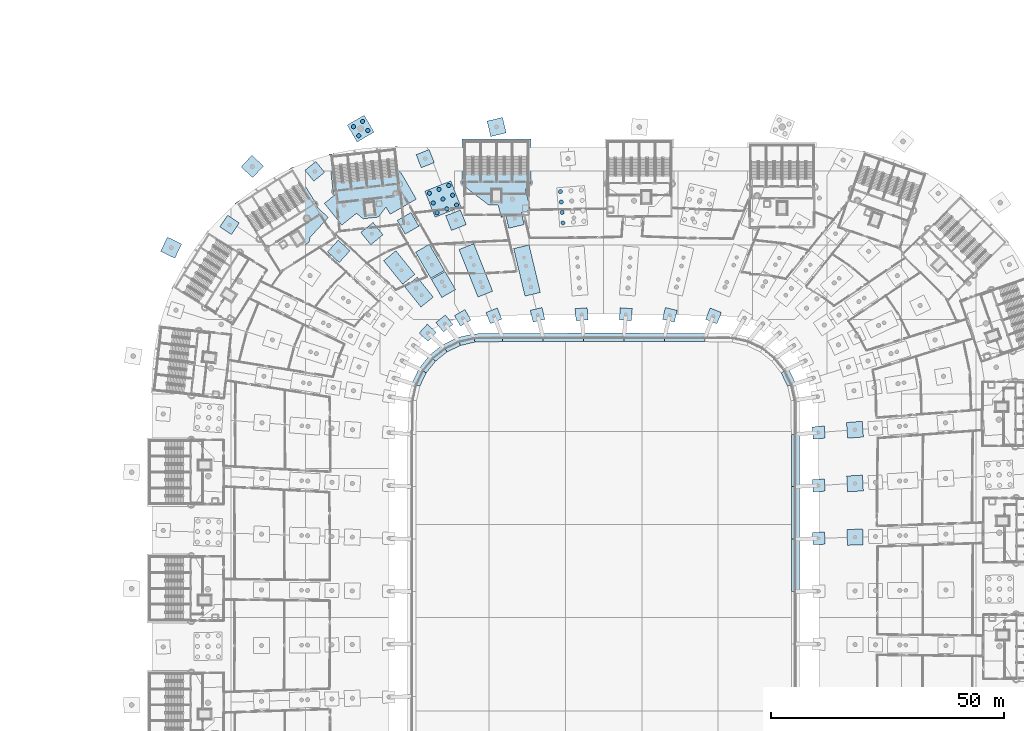
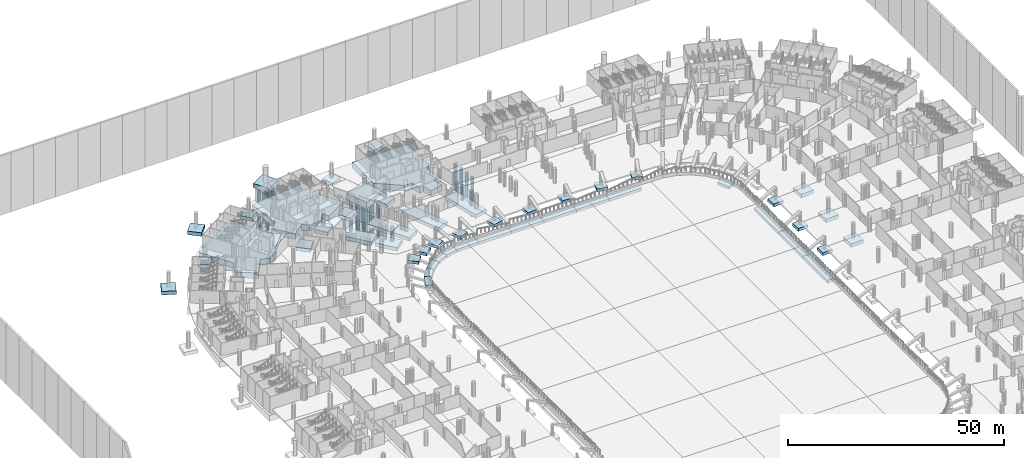
# One storey, part 6 of 142: 51 footings, 17 piles.
"""IFC4 building model written with IfcOpenShell, lengths in metres."""

from ifc_helpers import new_model, si_unit, direction, frame, origin, origin_2d, place, context, subcontext, project, spatial, polyline, circle, outline, extrude, material, material_profile, profile_set, type_object, element, save


model = new_model("IFC4")

# Units and contexts
model_context = context("Model", 3, precision=1e-05, world=origin(), true_north=direction((0.0, 1.0)))
body_context = subcontext(model_context, "Body", "Model", "MODEL_VIEW")
ifc_project = project(units=[si_unit("LENGTHUNIT", "METRE"), si_unit("AREAUNIT", "SQUARE_METRE"), si_unit("VOLUMEUNIT", "CUBIC_METRE"), si_unit("PLANEANGLEUNIT", "RADIAN"), si_unit("MASSUNIT", "GRAM", prefix="KILO")], contexts=[model_context])

# Site, building, storey
site_placement = place(None, origin())
site = spatial("IfcSite", under=ifc_project, at=site_placement, CompositionType="ELEMENT")
building_placement = place(site_placement, origin())
building = spatial("IfcBuilding", under=site, at=building_placement, Name="Meseta Stadium", CompositionType="ELEMENT")
storey_placement = place(building_placement, frame((0.0, 0.0, -4.0)))
storey = spatial("IfcBuildingStorey", under=building, at=storey_placement, Name="B1", CompositionType="ELEMENT", Elevation=-4.0)

# Piles
ifc_material_1 = material(Name="Concrete C30/37", Category="concrete")
ifc_material_profile_1 = material_profile(ifc_material_1, circle(Radius=0.449951171875, at=origin_2d()), Name="D900")
ifc_profile_set_1 = profile_set([ifc_material_profile_1], Name="Concrete C30/37")
pile_type_1 = type_object("IfcPileType", Name="Bored pile D900 A", PredefinedType="BORED", material=ifc_profile_set_1)
for number, where, z_axis, x_axis, name in (
    (1, (-8.7529296875, 84.795166015625, -2.10009765625), (0.0, 0.0, -1.0), (1.0, 0.0, 0.0), "Bored pile BP9A 19-EP-03"),
    (2, (-8.930908203125, 87.0380859375, -2.10009765625), (0.0, 0.0, -1.0), (1.0, 0.0, 0.0), "Bored pile BP9A 19-EP-06"),
    (3, (-9.10888671875, 89.281005859375, -2.10009765625), (0.0, 0.0, -1.0), (1.0, 0.0, 0.0), "Bored pile BP9A 19-EP-09"),
    (4, (-9.287109375, 91.52392578125, -2.10009765625), (0.0, 0.0, -1.0), (1.0, 0.0, 0.0), "Bored pile BP9A 19-EP-12"),
    (5, (-31.609375, 88.650390625, -2.10009765625), (0.0, 0.0, -1.0), (1.0, 0.0, 0.0), "Bored pile BP9A 21-P-01"),
    (6, (-33.70068359375, 87.820556640625, -2.10009765625), (0.0, 0.0, -1.0), (1.0, 0.0, 0.0), "Bored pile BP9A 21-P-02"),
    (7, (-35.7919921875, 86.990478515625, -2.10009765625), (0.0, 0.0, -1.0), (1.0, 0.0, 0.0), "Bored pile BP9A 21-P-03"),
    (8, (-32.439453125, 90.74169921875, -2.10009765625), (0.0, 0.0, -1.0), (1.0, 0.0, 0.0), "Bored pile BP9A 21-P-04"),
    (9, (-34.53076171875, 89.911865234375, -2.10009765625), (0.0, 0.0, -1.0), (1.0, 0.0, 0.0), "Bored pile BP9A 21-P-05"),
    (10, (-36.6220703125, 89.08203125, -2.10009765625), (0.0, 0.0, -1.0), (1.0, 0.0, 0.0), "Bored pile BP9A 21-P-06"),
    (11, (-33.269287109375, 92.833251953125, -2.10009765625), (0.0, 0.0, -1.0), (1.0, 0.0, 0.0), "Bored pile BP9A 21-P-07"),
    (12, (-35.360595703125, 92.003173828125, -2.10009765625), (0.0, 0.0, -1.0), (1.0, 0.0, 0.0), "Bored pile BP9A 21-P-08"),
    (13, (-37.451904296875, 91.17333984375, -2.10009765625), (0.0, 0.0, -1.0), (1.0, 0.0, 0.0), "Bored pile BP9A 21-P-09"),
):
    element("IfcPile", number, at=place(storey_placement, frame(where, z_axis=z_axis, x_axis=x_axis)), inside=storey, type_object=pile_type_1, Name=name, PredefinedType="BORED", context=body_context, shape_type="SweptSolid", body=[
        extrude(circle(Radius=0.449951171875, at=origin_2d()), origin(), (0.0, 0.0, 1.0), 10.89990234375),
    ])
ifc_material_2 = material(Name="Concrete C30/37", Category="concrete")
ifc_material_profile_2 = material_profile(ifc_material_2, circle(Radius=0.449951171875, at=origin_2d()), Name="D900")
ifc_profile_set_2 = profile_set([ifc_material_profile_2], Name="Concrete C30/37")
pile_type_2 = type_object("IfcPileType", Name="Bored pile D900 B", PredefinedType="BORED", material=ifc_profile_set_2)
for number, where, z_axis, x_axis, name in (
    (14, (-50.666015625, 104.640625, -1.5), (0.0, 0.0, -1.0), (1.0, 0.0, 0.0), "Bored pile BP9B 22-R-01"),
    (15, (-52.61376953125, 103.5146484375, -1.5), (0.0, 0.0, -1.0), (1.0, 0.0, 0.0), "Bored pile BP9B 22-R-02"),
    (16, (-51.791748046875, 106.588623046875, -1.5), (0.0, 0.0, -1.0), (1.0, 0.0, 0.0), "Bored pile BP9B 22-R-03"),
    (17, (-53.73974609375, 105.462646484375, -1.5), (0.0, 0.0, -1.0), (1.0, 0.0, 0.0), "Bored pile BP9B 22-R-04"),
):
    element("IfcPile", number, at=place(storey_placement, frame(where, z_axis=z_axis, x_axis=x_axis)), inside=storey, type_object=pile_type_2, Name=name, PredefinedType="BORED", context=body_context, shape_type="SweptSolid", body=[
        extrude(circle(Radius=0.449951171875, at=origin_2d()), origin(), (0.0, 0.0, 1.0), 11.5),
    ])

# Footings
ifc_material_3 = material(Name="Concrete C30/37", Category="concrete")
footing_type_1 = type_object("IfcFootingType", Name="Combined footing 10500x3400", PredefinedType="PAD_FOOTING", material=ifc_material_3)
footing_1_placement = place(storey_placement, frame((0.0, 0.0, -1.39990234375)))
element("IfcFooting", 18, at=footing_1_placement, inside=storey, type_object=footing_type_1, Name="Footing F105.34 20-BCDU", PredefinedType="PAD_FOOTING", context=body_context, shape_type="SweptSolid", body=[
    extrude(outline(polyline([(-13.599609375, 69.857421875), (-16.031494140625, 80.072021484375), (-19.339111328125, 79.284423828125), (-16.906982421875, 69.070068359375), (-13.599609375, 69.857421875)])), origin(), (0.0, 0.0, 1.0), 1.0),
])
ifc_material_4 = material(Name="Concrete C30/37", Category="concrete")
footing_type_2 = type_object("IfcFootingType", Name="Combined footing 11000x3400", PredefinedType="PAD_FOOTING", material=ifc_material_4)
footing_2_placement = place(storey_placement, frame((0.0, 0.0, -1.39990234375)))
element("IfcFooting", 19, at=footing_2_placement, inside=storey, type_object=footing_type_2, Name="Footing F110.34 21-BCDU", PredefinedType="PAD_FOOTING", context=body_context, shape_type="SweptSolid", body=[
    extrude(outline(polyline([(-23.8515625, 70.114990234375), (-27.908935546875, 80.339599609375), (-31.069091796875, 79.08544921875), (-27.011962890625, 68.861083984375), (-23.8515625, 70.114990234375)])), origin(), (0.0, 0.0, 1.0), 1.0),
])
ifc_material_5 = material(Name="Concrete C30/37", Category="concrete")
footing_type_3 = type_object("IfcFootingType", Name="Combined footing 4500x3400", PredefinedType="PAD_FOOTING", material=ifc_material_5)
footing_3_placement = place(storey_placement, frame((0.0, 0.0, -1.39990234375)))
element("IfcFooting", 20, at=footing_3_placement, inside=storey, type_object=footing_type_3, Name="Footing F45.34 22-BU", PredefinedType="PAD_FOOTING", context=body_context, shape_type="SweptSolid", body=[
    extrude(outline(polyline([(-31.8251953125, 70.474609375), (-34.0771484375, 74.37060546875), (-37.020751953125, 72.669189453125), (-34.768798828125, 68.773193359375), (-31.8251953125, 70.474609375)])), origin(), (0.0, 0.0, 1.0), 1.0),
])
ifc_material_6 = material(Name="Concrete C30/37", Category="concrete")
footing_type_4 = type_object("IfcFootingType", Name="Combined footing 5500x3400", PredefinedType="PAD_FOOTING", material=ifc_material_6)
footing_4_placement = place(storey_placement, frame((0.0, 0.0, -1.39990234375)))
element("IfcFooting", 21, at=footing_4_placement, inside=storey, type_object=footing_type_4, Name="Footing F55.34 23-BU", PredefinedType="PAD_FOOTING", context=body_context, shape_type="SweptSolid", body=[
    extrude(outline(polyline([(-36.600341796875, 68.861328125), (-40.0546875, 73.141357421875), (-42.700439453125, 71.006103515625), (-39.24609375, 66.725830078125), (-36.600341796875, 68.861328125)])), origin(), (0.0, 0.0, 1.0), 1.0),
])
ifc_material_7 = material(Name="Concrete C30/37", Category="concrete")
footing_type_5 = type_object("IfcFootingType", Name="Combined footing 6500x3400", PredefinedType="PAD_FOOTING", material=ifc_material_7)
footing_5_placement = place(storey_placement, frame((0.0, 0.0, -1.39990234375)))
element("IfcFooting", 22, at=footing_5_placement, inside=storey, type_object=footing_type_5, Name="Footing F65.34 22-CD", PredefinedType="PAD_FOOTING", context=body_context, shape_type="SweptSolid", body=[
    extrude(outline(polyline([(-34.20068359375, 74.584228515625), (-37.453369140625, 80.2119140625), (-40.39697265625, 78.51025390625), (-37.144287109375, 72.8828125), (-34.20068359375, 74.584228515625)])), origin(), (0.0, 0.0, 1.0), 1.0),
])
footing_6_placement = place(storey_placement, frame((0.0, 0.0, -1.39990234375)))
element("IfcFooting", 23, at=footing_6_placement, inside=storey, type_object=footing_type_5, Name="Footing F65.34 23-CD", PredefinedType="PAD_FOOTING", context=body_context, shape_type="SweptSolid", body=[
    extrude(outline(polyline([(-40.54638671875, 73.75048828125), (-44.62841796875, 78.80859375), (-47.2744140625, 76.67333984375), (-43.192138671875, 71.615234375), (-40.54638671875, 73.75048828125)])), origin(), (0.0, 0.0, 1.0), 1.0),
])
ifc_material_8 = material(Name="Concrete C30/37", Category="concrete")
footing_type_6 = type_object("IfcFootingType", Name="Pad footing 2600", PredefinedType="PAD_FOOTING", material=ifc_material_8)
footing_7_placement = place(storey_placement, frame((0.0, 0.0, -1.199951171875)))
element("IfcFooting", 24, at=footing_7_placement, inside=storey, type_object=footing_type_6, Name="Footing F26 06-A", PredefinedType="PAD_FOOTING", context=body_context, shape_type="SweptSolid", body=[
    extrude(outline(polyline([(44.940673828125, 15.703857421875), (47.539306640625, 15.789306640625), (47.45361328125, 18.387939453125), (44.855224609375, 18.302490234375), (44.940673828125, 15.703857421875)])), origin(), (0.0, 0.0, 1.0), 0.800048828125),
])
footing_8_placement = place(storey_placement, frame((0.0, 0.0, -1.199951171875)))
element("IfcFooting", 25, at=footing_8_placement, inside=storey, type_object=footing_type_6, Name="Footing F26 07-A", PredefinedType="PAD_FOOTING", context=body_context, shape_type="SweptSolid", body=[
    extrude(outline(polyline([(44.96533203125, 27.040283203125), (47.561279296875, 27.182861328125), (47.419189453125, 29.77880859375), (44.822998046875, 29.636474609375), (44.96533203125, 27.040283203125)])), origin(), (0.0, 0.0, 1.0), 0.800048828125),
])
footing_9_placement = place(storey_placement, frame((0.0, 0.0, -1.199951171875)))
element("IfcFooting", 26, at=footing_9_placement, inside=storey, type_object=footing_type_6, Name="Footing F26 08-A", PredefinedType="PAD_FOOTING", context=body_context, shape_type="SweptSolid", body=[
    extrude(outline(polyline([(44.988037109375, 38.377197265625), (47.580322265625, 38.576416015625), (47.38134765625, 41.168701171875), (44.7890625, 40.9697265625), (44.988037109375, 38.377197265625)])), origin(), (0.0, 0.0, 1.0), 0.800048828125),
])
footing_10_placement = place(storey_placement, frame((0.0, 0.0, -1.199951171875)))
element("IfcFooting", 27, at=footing_10_placement, inside=storey, type_object=footing_type_6, Name="Footing F26 16-A", PredefinedType="PAD_FOOTING", context=body_context, shape_type="SweptSolid", body=[
    extrude(outline(polyline([(24.3134765625, 63.1455078125), (25.2724609375, 65.562255859375), (22.855712890625, 66.521240234375), (21.896728515625, 64.1044921875), (24.3134765625, 63.1455078125)])), origin(), (0.0, 0.0, 1.0), 0.800048828125),
])
footing_11_placement = place(storey_placement, frame((0.0, 0.0, -1.199951171875)))
element("IfcFooting", 28, at=footing_11_placement, inside=storey, type_object=footing_type_6, Name="Footing F26 17-A", PredefinedType="PAD_FOOTING", context=body_context, shape_type="SweptSolid", body=[
    extrude(outline(polyline([(15.16796875, 63.492919921875), (15.770263671875, 66.022216796875), (13.240966796875, 66.624267578125), (12.638671875, 64.09521484375), (15.16796875, 63.492919921875)])), origin(), (0.0, 0.0, 1.0), 0.800048828125),
])
footing_12_placement = place(storey_placement, frame((0.0, 0.0, -1.199951171875)))
element("IfcFooting", 29, at=footing_12_placement, inside=storey, type_object=footing_type_6, Name="Footing F26 18-A", PredefinedType="PAD_FOOTING", context=body_context, shape_type="SweptSolid", body=[
    extrude(outline(polyline([(5.937744140625, 63.784912109375), (6.1435546875, 66.376708984375), (3.5517578125, 66.58251953125), (3.345947265625, 63.990478515625), (5.937744140625, 63.784912109375)])), origin(), (0.0, 0.0, 1.0), 0.800048828125),
])
footing_13_placement = place(storey_placement, frame((0.0, 0.0, -1.199951171875)))
element("IfcFooting", 30, at=footing_13_placement, inside=storey, type_object=footing_type_6, Name="Footing F26 19-A", PredefinedType="PAD_FOOTING", context=body_context, shape_type="SweptSolid", body=[
    extrude(outline(polyline([(-3.345947265625, 63.990478515625), (-3.5517578125, 66.58251953125), (-6.1435546875, 66.376708984375), (-5.937744140625, 63.784912109375), (-3.345947265625, 63.990478515625)])), origin(), (0.0, 0.0, 1.0), 0.800048828125),
])
footing_14_placement = place(storey_placement, frame((0.0, 0.0, -1.199951171875)))
element("IfcFooting", 31, at=footing_14_placement, inside=storey, type_object=footing_type_6, Name="Footing F26 20-A", PredefinedType="PAD_FOOTING", context=body_context, shape_type="SweptSolid", body=[
    extrude(outline(polyline([(-12.638671875, 64.09521484375), (-13.240966796875, 66.624267578125), (-15.770263671875, 66.022216796875), (-15.16796875, 63.492919921875), (-12.638671875, 64.09521484375)])), origin(), (0.0, 0.0, 1.0), 0.800048828125),
])
footing_15_placement = place(storey_placement, frame((0.0, 0.0, -1.199951171875)))
element("IfcFooting", 32, at=footing_15_placement, inside=storey, type_object=footing_type_6, Name="Footing F26 21-A", PredefinedType="PAD_FOOTING", context=body_context, shape_type="SweptSolid", body=[
    extrude(outline(polyline([(-21.896728515625, 64.1044921875), (-22.855712890625, 66.521240234375), (-25.2724609375, 65.562255859375), (-24.3134765625, 63.1455078125), (-21.896728515625, 64.1044921875)])), origin(), (0.0, 0.0, 1.0), 0.800048828125),
])
footing_16_placement = place(storey_placement, frame((0.0, 0.0, -1.199951171875)))
element("IfcFooting", 33, at=footing_16_placement, inside=storey, type_object=footing_type_6, Name="Footing F26 22-A", PredefinedType="PAD_FOOTING", context=body_context, shape_type="SweptSolid", body=[
    extrude(outline(polyline([(-28.505615234375, 63.932861328125), (-29.806884765625, 66.183837890625), (-32.057861328125, 64.882568359375), (-30.756591796875, 62.631591796875), (-28.505615234375, 63.932861328125)])), origin(), (0.0, 0.0, 1.0), 0.800048828125),
])
footing_17_placement = place(storey_placement, frame((0.0, 0.0, -1.199951171875)))
element("IfcFooting", 34, at=footing_17_placement, inside=storey, type_object=footing_type_6, Name="Footing F26 23-A", PredefinedType="PAD_FOOTING", context=body_context, shape_type="SweptSolid", body=[
    extrude(outline(polyline([(-32.391845703125, 63.009521484375), (-34.02490234375, 65.032958984375), (-36.048095703125, 63.39990234375), (-34.415283203125, 61.376708984375), (-32.391845703125, 63.009521484375)])), origin(), (0.0, 0.0, 1.0), 0.800048828125),
])
footing_18_placement = place(storey_placement, frame((0.0, 0.0, -1.199951171875)))
element("IfcFooting", 35, at=footing_18_placement, inside=storey, type_object=footing_type_6, Name="Footing F26 24-A", PredefinedType="PAD_FOOTING", context=body_context, shape_type="SweptSolid", body=[
    extrude(outline(polyline([(-35.9794921875, 61.293212890625), (-37.897216796875, 63.048583984375), (-39.652587890625, 61.130859375), (-37.735107421875, 59.37548828125), (-35.9794921875, 61.293212890625)])), origin(), (0.0, 0.0, 1.0), 0.800048828125),
])
ifc_material_9 = material(Name="Concrete C30/37", Category="concrete")
footing_type_7 = type_object("IfcFootingType", Name="Pad footing 3000", PredefinedType="PAD_FOOTING", material=ifc_material_9)
footing_19_placement = place(storey_placement, frame((0.0, 0.0, -1.39990234375)))
element("IfcFooting", 36, at=footing_19_placement, inside=storey, type_object=footing_type_7, Name="Footing F30 21-R", PredefinedType="PAD_FOOTING", context=body_context, shape_type="SweptSolid", body=[
    extrude(outline(polyline([(-36.3857421875, 97.759033203125), (-37.492431640625, 100.547607421875), (-40.28076171875, 99.44091796875), (-39.17431640625, 96.652587890625), (-36.3857421875, 97.759033203125)])), origin(), (0.0, 0.0, 1.0), 1.0),
])
footing_20_placement = place(storey_placement, frame((0.0, 0.0, -1.39990234375)))
element("IfcFooting", 37, at=footing_20_placement, inside=storey, type_object=footing_type_7, Name="Footing F30 23-R", PredefinedType="PAD_FOOTING", context=body_context, shape_type="SweptSolid", body=[
    extrude(outline(polyline([(-59.942138671875, 95.6474609375), (-61.826416015625, 97.982177734375), (-64.160888671875, 96.097900390625), (-62.27685546875, 93.763427734375), (-59.942138671875, 95.6474609375)])), origin(), (0.0, 0.0, 1.0), 1.0),
])
footing_21_placement = place(storey_placement, frame((0.0, 0.0, -1.39990234375)))
element("IfcFooting", 38, at=footing_21_placement, inside=storey, type_object=footing_type_7, Name="Footing F30 25-R", PredefinedType="PAD_FOOTING", context=body_context, shape_type="SweptSolid", body=[
    extrude(outline(polyline([(-78.282958984375, 84.769287109375), (-80.769287109375, 86.447998046875), (-82.447998046875, 83.96142578125), (-79.96142578125, 82.282958984375), (-78.282958984375, 84.769287109375)])), origin(), (0.0, 0.0, 1.0), 1.0),
])
ifc_material_10 = material(Name="Concrete C30/37", Category="concrete")
footing_type_8 = type_object("IfcFootingType", Name="Pad footing 3400", PredefinedType="PAD_FOOTING", material=ifc_material_10)
footing_22_placement = place(storey_placement, frame((0.0, 0.0, -1.39990234375)))
element("IfcFooting", 39, at=footing_22_placement, inside=storey, type_object=footing_type_8, Name="Footing F34 06-B", PredefinedType="PAD_FOOTING", context=body_context, shape_type="SweptSolid", body=[
    extrude(outline(polyline([(52.349853515625, 15.54736328125), (55.747802734375, 15.6591796875), (55.63623046875, 19.057373046875), (52.238037109375, 18.945556640625), (52.349853515625, 15.54736328125)])), origin(), (0.0, 0.0, 1.0), 1.0),
])
footing_23_placement = place(storey_placement, frame((0.0, 0.0, -1.39990234375)))
element("IfcFooting", 40, at=footing_23_placement, inside=storey, type_object=footing_type_8, Name="Footing F34 07-B", PredefinedType="PAD_FOOTING", context=body_context, shape_type="SweptSolid", body=[
    extrude(outline(polyline([(52.376220703125, 27.046142578125), (55.77099609375, 27.232421875), (55.5849609375, 30.627197265625), (52.18994140625, 30.44091796875), (52.376220703125, 27.046142578125)])), origin(), (0.0, 0.0, 1.0), 1.0),
])
footing_24_placement = place(storey_placement, frame((0.0, 0.0, -1.39990234375)))
element("IfcFooting", 41, at=footing_24_placement, inside=storey, type_object=footing_type_8, Name="Footing F34 08-B", PredefinedType="PAD_FOOTING", context=body_context, shape_type="SweptSolid", body=[
    extrude(outline(polyline([(52.39697265625, 38.544921875), (55.787109375, 38.804931640625), (55.52685546875, 42.195068359375), (52.13671875, 41.934814453125), (52.39697265625, 38.544921875)])), origin(), (0.0, 0.0, 1.0), 1.0),
])
footing_25_placement = place(storey_placement, frame((0.0, 0.0, -1.39990234375)))
element("IfcFooting", 42, at=footing_25_placement, inside=storey, type_object=footing_type_8, Name="Footing F34 20-R", PredefinedType="PAD_FOOTING", context=body_context, shape_type="SweptSolid", body=[
    extrude(outline(polyline([(-20.952392578125, 104.139892578125), (-21.739990234375, 107.447509765625), (-25.047607421875, 106.659912109375), (-24.260009765625, 103.3525390625), (-20.952392578125, 104.139892578125)])), origin(), (0.0, 0.0, 1.0), 1.0),
])
footing_26_placement = place(storey_placement, frame((0.0, 0.0, -1.39990234375)))
element("IfcFooting", 43, at=footing_26_placement, inside=storey, type_object=footing_type_8, Name="Footing F34 21-E", PredefinedType="PAD_FOOTING", context=body_context, shape_type="SweptSolid", body=[
    extrude(outline(polyline([(-29.52978515625, 84.423583984375), (-30.78369140625, 87.583984375), (-33.944091796875, 86.329833984375), (-32.68994140625, 83.169677734375), (-29.52978515625, 84.423583984375)])), origin(), (0.0, 0.0, 1.0), 1.0),
])
footing_27_placement = place(storey_placement, frame((0.0, 0.0, -1.39990234375)))
element("IfcFooting", 44, at=footing_27_placement, inside=storey, type_object=footing_type_8, Name="Footing F34 22-E", PredefinedType="PAD_FOOTING", context=body_context, shape_type="SweptSolid", body=[
    extrude(outline(polyline([(-39.693115234375, 84.086181640625), (-41.394287109375, 87.02978515625), (-44.338134765625, 85.328369140625), (-42.63671875, 82.384765625), (-39.693115234375, 84.086181640625)])), origin(), (0.0, 0.0, 1.0), 1.0),
])
footing_28_placement = place(storey_placement, frame((0.0, 0.0, -1.39990234375)))
element("IfcFooting", 45, at=footing_28_placement, inside=storey, type_object=footing_type_8, Name="Footing F34 23-E", PredefinedType="PAD_FOOTING", context=body_context, shape_type="SweptSolid", body=[
    extrude(outline(polyline([(-47.400634765625, 82.24365234375), (-49.535888671875, 84.889404296875), (-52.181640625, 82.754150390625), (-50.04638671875, 80.108154296875), (-47.400634765625, 82.24365234375)])), origin(), (0.0, 0.0, 1.0), 1.0),
])
footing_29_placement = place(storey_placement, frame((0.0, 0.0, -1.39990234375)))
element("IfcFooting", 46, at=footing_29_placement, inside=storey, type_object=footing_type_8, Name="Footing F34 24-E", PredefinedType="PAD_FOOTING", context=body_context, shape_type="SweptSolid", body=[
    extrude(outline(polyline([(-54.51318359375, 78.8017578125), (-57.02099609375, 81.097412109375), (-59.31689453125, 78.589599609375), (-56.80908203125, 76.2939453125), (-54.51318359375, 78.8017578125)])), origin(), (0.0, 0.0, 1.0), 1.0),
])
footing_30_placement = place(storey_placement, frame((0.0, 0.0, -1.39990234375)))
element("IfcFooting", 47, at=footing_30_placement, inside=storey, type_object=footing_type_8, Name="Footing F34 24-R", PredefinedType="PAD_FOOTING", context=body_context, shape_type="SweptSolid", body=[
    extrude(outline(polyline([(-73.07275390625, 97.0146484375), (-75.58056640625, 99.310302734375), (-77.87646484375, 96.802490234375), (-75.368408203125, 94.506591796875), (-73.07275390625, 97.0146484375)])), origin(), (0.0, 0.0, 1.0), 1.0),
])
footing_31_placement = place(storey_placement, frame((0.0, 0.0, -1.39990234375)))
element("IfcFooting", 48, at=footing_31_placement, inside=storey, type_object=footing_type_8, Name="Footing F34 26-R", PredefinedType="PAD_FOOTING", context=body_context, shape_type="SweptSolid", body=[
    extrude(outline(polyline([(-90.6396484375, 80.269775390625), (-93.703857421875, 81.743408203125), (-95.17724609375, 78.67919921875), (-92.11328125, 77.205810546875), (-90.6396484375, 80.269775390625)])), origin(), (0.0, 0.0, 1.0), 1.0),
])
ifc_material_11 = material(Name="Concrete C30/37", Category="concrete")
footing_type_9 = type_object("IfcFootingType", Name="Pile cap 4200", PredefinedType="PILE_CAP", material=ifc_material_11)
footing_32_placement = place(storey_placement, frame((0.0, 0.0, -1.60009765625)))
element("IfcFooting", 49, at=footing_32_placement, inside=storey, type_object=footing_type_9, Name="Pile cap PC42 22-R", PredefinedType="PILE_CAP", context=body_context, shape_type="SweptSolid", body=[
    extrude(outline(polyline([(-49.333740234375, 104.284423828125), (-51.435546875, 107.920654296875), (-55.072021484375, 105.81884765625), (-52.969970703125, 102.1826171875), (-49.333740234375, 104.284423828125)])), origin(), (0.0, 0.0, 1.0), 1.2001953125),
])
ifc_material_12 = material(Name="Concrete C30/37", Category="concrete")
footing_type_10 = type_object("IfcFootingType", Name="Pile cap 6000", PredefinedType="PILE_CAP", material=ifc_material_12)
footing_33_placement = place(storey_placement, frame((0.0, 0.0, -2.199951171875)))
element("IfcFooting", 50, at=footing_33_placement, inside=storey, type_object=footing_type_10, Name="Pile cap PC60 21-P", PredefinedType="PILE_CAP", context=body_context, shape_type="SweptSolid", body=[
    extrude(outline(polyline([(-30.6357421875, 88.22998046875), (-32.848876953125, 93.806884765625), (-38.42578125, 91.59375), (-36.212646484375, 86.016845703125), (-30.6357421875, 88.22998046875)])), origin(), (0.0, 0.0, 1.0), 1.800048828125),
])
ifc_material_13 = material(Name="Concrete C30/37", Category="concrete")
footing_type_11 = type_object("IfcFootingType", Name="Raft 18600x16000", PredefinedType="PAD_FOOTING", material=ifc_material_13)
footing_34_placement = place(storey_placement, frame((0.0, 0.0, -2.800048828125)))
element("IfcFooting", 51, at=footing_34_placement, inside=storey, type_object=footing_type_11, Name="Footing R186.160 24-CORE", PredefinedType="PAD_FOOTING", context=body_context, shape_type="SweptSolid", body=[
    extrude(outline(polyline([(-68.47509765625, 79.41259765625), (-66.0830078125, 78.860595703125), (-63.288818359375, 80.6162109375), (-63.041748046875, 81.7109375), (-59.139404296875, 85.9736328125), (-61.576416015625, 88.20458984375), (-61.494384765625, 88.568115234375), (-66.708251953125, 96.865966796875), (-79.23974609375, 88.991943359375), (-74.4228515625, 81.32568359375), (-76.47705078125, 78.283203125), (-71.50390625, 74.926025390625), (-68.47509765625, 79.41259765625)])), origin(), (0.0, 0.0, 1.0), 1.60009765625),
])
ifc_material_14 = material(Name="Concrete C30/37", Category="concrete")
footing_type_12 = type_object("IfcFootingType", Name="Raft 19100x14800", PredefinedType="PAD_FOOTING", material=ifc_material_14)
footing_35_placement = place(storey_placement, frame((0.0, 0.0, -2.800048828125)))
element("IfcFooting", 52, at=footing_35_placement, inside=storey, type_object=footing_type_12, Name="Footing R191.148 20-CORE", PredefinedType="PAD_FOOTING", context=body_context, shape_type="SweptSolid", body=[
    extrude(outline(polyline([(-17.68701171875, 87.02490234375), (-15.713134765625, 87.494873046875), (-16.804443359375, 92.078369140625), (-15.60009765625, 93.0), (-15.60009765625, 102.800048828125), (-30.39990234375, 102.800048828125), (-30.39990234375, 93.0), (-24.64990234375, 88.60009765625), (-22.657958984375, 88.60009765625), (-22.036376953125, 85.989501953125), (-20.994384765625, 86.2373046875), (-20.378662109375, 83.650634765625), (-17.071044921875, 84.438232421875), (-17.68701171875, 87.02490234375)])), origin(), (0.0, 0.0, 1.0), 1.60009765625),
])
ifc_material_15 = material(Name="Concrete C30/37", Category="concrete")
footing_type_13 = type_object("IfcFootingType", Name="Raft 19500x15500", PredefinedType="PAD_FOOTING", material=ifc_material_15)
footing_36_placement = place(storey_placement, frame((0.0, 0.0, -2.800048828125)))
element("IfcFooting", 53, at=footing_36_placement, inside=storey, type_object=footing_type_13, Name="Footing R195.155 22-CORE", PredefinedType="PAD_FOOTING", context=body_context, shape_type="SweptSolid", body=[
    extrude(outline(polyline([(-53.103759765625, 86.8623046875), (-51.679931640625, 85.67333984375), (-48.400634765625, 86.042724609375), (-46.762451171875, 88.19482421875), (-45.869873046875, 86.650634765625), (-40.2421875, 89.903564453125), (-43.4951171875, 95.531005859375), (-43.671875, 95.428955078125), (-44.322998046875, 101.209716796875), (-59.030029296875, 99.552734375), (-58.067138671875, 91.006591796875), (-57.79931640625, 90.782958984375), (-60.018310546875, 88.9921875), (-56.25, 84.322998046875), (-53.103759765625, 86.8623046875)])), origin(), (0.0, 0.0, 1.0), 1.60009765625),
])
ifc_material_16 = material(Name="Concrete C30/37", Category="concrete")
footing_type_14 = type_object("IfcFootingType", Name="Strip footing 1800", PredefinedType="STRIP_FOOTING", material=ifc_material_16)
footing_37_placement = place(storey_placement, frame((0.0, 0.0, -1.199951171875)))
element("IfcFooting", 54, at=footing_37_placement, inside=storey, type_object=footing_type_14, Name="Strip footing pitch wall bay 06", PredefinedType="STRIP_FOOTING", context=body_context, shape_type="SweptSolid", body=[
    extrude(outline(polyline([(42.10009765625, 5.627197265625), (42.099853515625, 16.881591796875), (40.2998046875, 16.881591796875), (40.300048828125, 5.627197265625), (42.10009765625, 5.627197265625)])), origin(), (0.0, 0.0, 1.0), 0.800048828125),
])
footing_38_placement = place(storey_placement, frame((0.0, 0.0, -1.199951171875)))
element("IfcFooting", 55, at=footing_38_placement, inside=storey, type_object=footing_type_14, Name="Strip footing pitch wall bay 07", PredefinedType="STRIP_FOOTING", context=body_context, shape_type="SweptSolid", body=[
    extrude(outline(polyline([(42.099853515625, 16.881591796875), (42.099609375, 28.135986328125), (40.2998046875, 28.135986328125), (40.2998046875, 16.881591796875), (42.099853515625, 16.881591796875)])), origin(), (0.0, 0.0, 1.0), 0.800048828125),
])
footing_39_placement = place(storey_placement, frame((0.0, 0.0, -1.199951171875)))
element("IfcFooting", 56, at=footing_39_placement, inside=storey, type_object=footing_type_14, Name="Strip footing pitch wall bay 08", PredefinedType="STRIP_FOOTING", context=body_context, shape_type="SweptSolid", body=[
    extrude(outline(polyline([(42.099609375, 28.135986328125), (42.099365234375, 39.396240234375), (40.29931640625, 39.384521484375), (40.2998046875, 28.135986328125), (42.099609375, 28.135986328125)])), origin(), (0.0, 0.0, 1.0), 0.800048828125),
])
footing_40_placement = place(storey_placement, frame((0.0, 0.0, -1.199951171875)))
element("IfcFooting", 57, at=footing_40_placement, inside=storey, type_object=footing_type_14, Name="Strip footing pitch wall bay 11", PredefinedType="STRIP_FOOTING", context=body_context, shape_type="SweptSolid", body=[
    extrude(outline(polyline([(41.2041015625, 50.31298828125), (39.6484375, 53.54833984375), (38.11376953125, 52.586181640625), (39.494140625, 49.715087890625), (41.2041015625, 50.31298828125)])), origin(), (0.0, 0.0, 1.0), 0.800048828125),
])
footing_41_placement = place(storey_placement, frame((0.0, 0.0, -1.199951171875)))
element("IfcFooting", 58, at=footing_41_placement, inside=storey, type_object=footing_type_14, Name="Strip footing pitch wall bay 17", PredefinedType="STRIP_FOOTING", context=body_context, shape_type="SweptSolid", body=[
    extrude(outline(polyline([(21.748779296875, 61.0859375), (13.047119140625, 61.094482421875), (13.045654296875, 59.294677734375), (21.73193359375, 59.285888671875), (21.748779296875, 61.0859375)])), origin(), (0.0, 0.0, 1.0), 0.800048828125),
])
footing_42_placement = place(storey_placement, frame((0.0, 0.0, -1.199951171875)))
element("IfcFooting", 59, at=footing_42_placement, inside=storey, type_object=footing_type_14, Name="Strip footing pitch wall bay 18", PredefinedType="STRIP_FOOTING", context=body_context, shape_type="SweptSolid", body=[
    extrude(outline(polyline([(13.047119140625, 61.094482421875), (4.349365234375, 61.099365234375), (4.348876953125, 59.29931640625), (13.045654296875, 59.294677734375), (13.047119140625, 61.094482421875)])), origin(), (0.0, 0.0, 1.0), 0.800048828125),
])
footing_43_placement = place(storey_placement, frame((0.0, 0.0, -1.199951171875)))
element("IfcFooting", 60, at=footing_43_placement, inside=storey, type_object=footing_type_14, Name="Strip footing pitch wall bay 19", PredefinedType="STRIP_FOOTING", context=body_context, shape_type="SweptSolid", body=[
    extrude(outline(polyline([(4.349365234375, 61.099365234375), (-4.349365234375, 61.099365234375), (-4.348876953125, 59.29931640625), (4.348876953125, 59.29931640625), (4.349365234375, 61.099365234375)])), origin(), (0.0, 0.0, 1.0), 0.800048828125),
])
footing_44_placement = place(storey_placement, frame((0.0, 0.0, -1.199951171875)))
element("IfcFooting", 61, at=footing_44_placement, inside=storey, type_object=footing_type_14, Name="Strip footing pitch wall bay 20", PredefinedType="STRIP_FOOTING", context=body_context, shape_type="SweptSolid", body=[
    extrude(outline(polyline([(-4.349365234375, 61.099365234375), (-13.047119140625, 61.094482421875), (-13.045654296875, 59.294677734375), (-4.348876953125, 59.29931640625), (-4.349365234375, 61.099365234375)])), origin(), (0.0, 0.0, 1.0), 0.800048828125),
])
footing_45_placement = place(storey_placement, frame((0.0, 0.0, -1.199951171875)))
element("IfcFooting", 62, at=footing_45_placement, inside=storey, type_object=footing_type_14, Name="Strip footing pitch wall bay 21", PredefinedType="STRIP_FOOTING", context=body_context, shape_type="SweptSolid", body=[
    extrude(outline(polyline([(-13.047119140625, 61.094482421875), (-21.748779296875, 61.0859375), (-21.73193359375, 59.285888671875), (-13.045654296875, 59.294677734375), (-13.047119140625, 61.094482421875)])), origin(), (0.0, 0.0, 1.0), 0.800048828125),
])
footing_46_placement = place(storey_placement, frame((0.0, 0.0, -1.199951171875)))
element("IfcFooting", 63, at=footing_46_placement, inside=storey, type_object=footing_type_14, Name="Strip footing pitch wall bay 22", PredefinedType="STRIP_FOOTING", context=body_context, shape_type="SweptSolid", body=[
    extrude(outline(polyline([(-21.748779296875, 61.0859375), (-27.890380859375, 60.97705078125), (-27.668701171875, 59.1806640625), (-21.73193359375, 59.285888671875), (-21.748779296875, 61.0859375)])), origin(), (0.0, 0.0, 1.0), 0.800048828125),
])
footing_47_placement = place(storey_placement, frame((0.0, 0.0, -1.199951171875)))
element("IfcFooting", 64, at=footing_47_placement, inside=storey, type_object=footing_type_14, Name="Strip footing pitch wall bay 23", PredefinedType="STRIP_FOOTING", context=body_context, shape_type="SweptSolid", body=[
    extrude(outline(polyline([(-27.890380859375, 60.97705078125), (-31.381591796875, 60.167724609375), (-30.778076171875, 58.4599609375), (-27.668701171875, 59.1806640625), (-27.890380859375, 60.97705078125)])), origin(), (0.0, 0.0, 1.0), 0.800048828125),
])
footing_48_placement = place(storey_placement, frame((0.0, 0.0, -1.199951171875)))
element("IfcFooting", 65, at=footing_48_placement, inside=storey, type_object=footing_type_14, Name="Strip footing pitch wall bay 24", PredefinedType="STRIP_FOOTING", context=body_context, shape_type="SweptSolid", body=[
    extrude(outline(polyline([(-31.381591796875, 60.167724609375), (-34.611572265625, 58.6015625), (-33.644287109375, 57.0703125), (-30.778076171875, 58.4599609375), (-31.381591796875, 60.167724609375)])), origin(), (0.0, 0.0, 1.0), 0.800048828125),
])
footing_49_placement = place(storey_placement, frame((0.0, 0.0, -1.199951171875)))
element("IfcFooting", 66, at=footing_49_placement, inside=storey, type_object=footing_type_14, Name="Strip footing pitch wall bay 25", PredefinedType="STRIP_FOOTING", context=body_context, shape_type="SweptSolid", body=[
    extrude(outline(polyline([(-34.611572265625, 58.6015625), (-37.413818359375, 56.35791015625), (-36.130859375, 55.0791015625), (-33.644287109375, 57.0703125), (-34.611572265625, 58.6015625)])), origin(), (0.0, 0.0, 1.0), 0.800048828125),
])
footing_50_placement = place(storey_placement, frame((0.0, 0.0, -1.199951171875)))
element("IfcFooting", 67, at=footing_50_placement, inside=storey, type_object=footing_type_14, Name="Strip footing pitch wall bay 26", PredefinedType="STRIP_FOOTING", context=body_context, shape_type="SweptSolid", body=[
    extrude(outline(polyline([(-37.413818359375, 56.35791015625), (-39.6484375, 53.54833984375), (-38.11376953125, 52.586181640625), (-36.130859375, 55.0791015625), (-37.413818359375, 56.35791015625)])), origin(), (0.0, 0.0, 1.0), 0.800048828125),
])
footing_51_placement = place(storey_placement, frame((0.0, 0.0, -1.199951171875)))
element("IfcFooting", 68, at=footing_51_placement, inside=storey, type_object=footing_type_14, Name="Strip footing pitch wall bay 27", PredefinedType="STRIP_FOOTING", context=body_context, shape_type="SweptSolid", body=[
    extrude(outline(polyline([(-39.6484375, 53.54833984375), (-41.2041015625, 50.31298828125), (-39.494140625, 49.715087890625), (-38.11376953125, 52.586181640625), (-39.6484375, 53.54833984375)])), origin(), (0.0, 0.0, 1.0), 0.800048828125),
])

save(model, "model.ifc")
